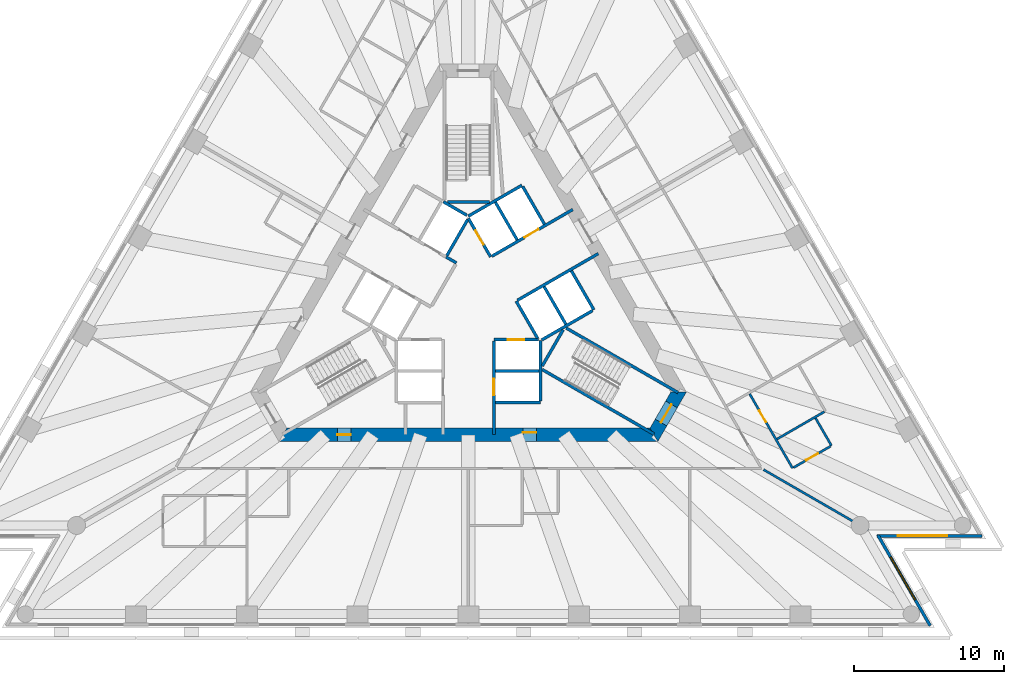
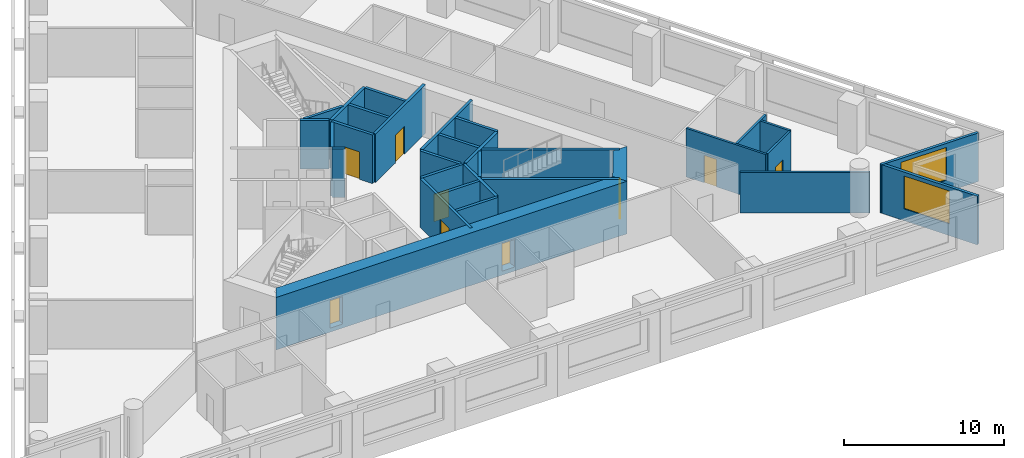
# One storey, part 5 of 11: 31 walls, 9 doors, 2 windows, 11 openings.
"""IFC4 building model written with IfcOpenShell, lengths in metres."""

from ifc_helpers import new_model, si_unit, direction, frame, frame_2d, origin, place, context, subcontext, project, spatial, polyline, rectangle, outline, extrude, material, layer, layer_set, layer_usage, type_object, element, fill, save


model = new_model("IFC4")

# Units and contexts
model_context = context("Model", 3, precision=1e-05, world=origin(), true_north=direction((0.0, 1.0)))
body_context = subcontext(model_context, "Body", "Model", "MODEL_VIEW")
ifc_project = project(units=[si_unit("LENGTHUNIT", "METRE"), si_unit("AREAUNIT", "SQUARE_METRE"), si_unit("VOLUMEUNIT", "CUBIC_METRE"), si_unit("PLANEANGLEUNIT", "RADIAN"), si_unit("MASSUNIT", "GRAM", prefix="KILO")], contexts=[model_context])

# Site, building, storey
site_placement = place(None, origin())
site = spatial("IfcSite", under=ifc_project, at=site_placement, CompositionType="ELEMENT")
building_placement = place(site_placement, origin())
building = spatial("IfcBuilding", under=site, at=building_placement, Name="Triada Interchange Tower", CompositionType="ELEMENT")
storey_placement = place(building_placement, frame((0.0, 0.0, 59.300048828125)))
storey = spatial("IfcBuildingStorey", under=building, at=storey_placement, Name="L12", CompositionType="ELEMENT", Elevation=59.300048828125)

# Walls
ifc_material_1 = material(Name="Concrete C30/37", Category="concrete")
ifc_layer_1 = layer(ifc_material_1, 0.199951171875)
ifc_layer_set_1 = layer_set([ifc_layer_1], Name="CORE WALL 200 EI 120")
wall_type_1 = type_object("IfcWallType", Name="CORE WALL 200 EI 120", PredefinedType="SOLIDWALL", material=ifc_layer_set_1)
wall_1_placement = place(storey_placement, frame((1.800048828125, -4.800048828125, 0.0), z_axis=(0.0, 0.0, 1.0), x_axis=(1.0, 0.0, 0.0)))
element("IfcWall", 1, at=wall_1_placement, inside=storey, type_object=wall_type_1, Name="Wall L12 50", PredefinedType="SOLIDWALL", context=body_context, shape_type="SweptSolid", body=[
    extrude(rectangle(XDim=2.89990234375, YDim=0.199951171875, at=frame_2d((1.449951171875, 0.0))), origin(), (0.0, 0.0, 1.0), 3.699951171875),
])
wall_2_placement = place(storey_placement, frame((1.800048828125, -6.89990234375, 0.0), z_axis=(0.0, 0.0, 1.0), x_axis=(1.0, 0.0, 0.0)))
element("IfcWall", 2, at=wall_2_placement, inside=storey, type_object=wall_type_1, Name="Wall L12 53", PredefinedType="SOLIDWALL", context=body_context, shape_type="SweptSolid", body=[
    extrude(rectangle(XDim=3.0, YDim=0.199951171875, at=frame_2d((1.5, 0.0))), origin(), (0.0, 0.0, 1.0), 3.699951171875),
])

# Wall, opening, door
wall_3_placement = place(storey_placement, frame((1.702880859375, -2.699951171875, 0.0), z_axis=(0.0, 0.0, 1.0), x_axis=(1.0, 0.0, 0.0)))
wall_3 = element("IfcWall", 3, at=wall_3_placement, inside=storey, type_object=wall_type_1, Name="Wall L12 56", PredefinedType="SOLIDWALL", context=body_context, shape_type="SweptSolid", body=[
    extrude(rectangle(XDim=2.97314453125, YDim=0.199951171875, at=frame_2d((1.486572265625, 0.0))), origin(), (0.0, 0.0, 1.0), 3.699951171875),
])
opening_1_placement = place(wall_3_placement, frame((0.93603515625, 0.0, 0.0)))
opening_1 = element("IfcOpeningElement", 4, at=opening_1_placement, cuts=wall_3, Name="Opening LD-LR1", PredefinedType="OPENING", context=body_context, shape_type="SweptSolid", body=[
    extrude(rectangle(XDim=1.10009765625, YDim=2.10009765625, at=frame_2d((0.550048828125, 1.050048828125))), frame((0.0, 0.10986328125, 0.0), z_axis=(0.0, -1.0, 0.0), x_axis=(1.0, 0.0, 0.0)), (0.0, 0.0, 1.0), 0.219970703125),
])
ifc_material_2 = material(Name="Steel S235 door leaf", Category="steel")
door_type_1 = type_object("IfcDoorType", Name="LIFT LANDING DOOR 1100 EI 120", OperationType="SLIDING_TO_LEFT", PredefinedType="DOOR", material=ifc_material_2)
door_1_placement = place(opening_1_placement, origin())
door_1 = element("IfcDoor", 5, at=door_1_placement, inside=storey, type_object=door_type_1, Name="LR1 landing door L12", OperationType="SLIDING_TO_LEFT", OverallHeight=2.10009765625, OverallWidth=1.10009765625, PredefinedType="DOOR", context=body_context, shape_type="SweptSolid", body=[
    extrude(rectangle(XDim=1.10009765625, YDim=2.10009765625, at=frame_2d((0.550048828125, 1.050048828125))), frame((0.0, 0.02490234375, 0.0), z_axis=(0.0, -1.0, 0.0), x_axis=(1.0, 0.0, 0.0)), (0.0, 0.0, 1.0), 0.050048828125),
])
fill(opening_1, door_1)

# Wall
wall_4_placement = place(storey_placement, frame((-0.001953125, 5.541015625, 0.0), z_axis=(0.0, 0.0, 1.0), x_axis=(0.86600155993, 0.500041296494, 0.0)))
element("IfcWall", 6, at=wall_4_placement, inside=storey, type_object=wall_type_1, Name="Wall L12 57", PredefinedType="SOLIDWALL", context=body_context, shape_type="SweptSolid", body=[
    extrude(rectangle(XDim=4.131591796875, YDim=0.199951171875, at=frame_2d((2.06591796875, 0.0))), origin(), (0.0, 0.0, 1.0), 3.699951171875),
])

# Wall, opening, door
wall_5_placement = place(storey_placement, frame((0.0, 5.39990234375, 0.0), z_axis=(0.0, 0.0, 1.0), x_axis=(0.500103862429, -0.865965430478, 0.0)))
wall_5 = element("IfcWall", 7, at=wall_5_placement, inside=storey, type_object=wall_type_1, Name="Wall L12 58", PredefinedType="SOLIDWALL", context=body_context, shape_type="SweptSolid", body=[
    extrude(rectangle(XDim=2.973388671875, YDim=0.199951171875, at=frame_2d((1.48681640625, 0.0))), origin(), (0.0, 0.0, 1.0), 3.699951171875),
])
opening_2_placement = place(wall_5_placement, frame((0.93701171875, 0.0, 0.0)))
opening_2 = element("IfcOpeningElement", 8, at=opening_2_placement, cuts=wall_5, Name="Opening LD-LR5", PredefinedType="OPENING", context=body_context, shape_type="SweptSolid", body=[
    extrude(rectangle(XDim=1.10009765625, YDim=2.10009765625, at=frame_2d((0.550048828125, 1.050048828125))), frame((0.0, 0.10986328125, 0.0), z_axis=(0.0, -1.0, 0.0), x_axis=(1.0, 0.0, 0.0)), (0.0, 0.0, 1.0), 0.219970703125),
])
door_2_placement = place(opening_2_placement, origin())
door_2 = element("IfcDoor", 9, at=door_2_placement, inside=storey, type_object=door_type_1, Name="LR5 landing door L12", OperationType="SLIDING_TO_LEFT", OverallHeight=2.10009765625, OverallWidth=1.10009765625, PredefinedType="DOOR", context=body_context, shape_type="SweptSolid", body=[
    extrude(rectangle(XDim=1.10009765625, YDim=2.10009765625, at=frame_2d((0.550048828125, 1.050048828125))), frame((0.0, 0.02490234375, 0.0), z_axis=(0.0, -1.0, 0.0), x_axis=(1.0, 0.0, 0.0)), (0.0, 0.0, 1.0), 0.050048828125),
])
fill(opening_2, door_2)

# Wall
wall_6_placement = place(storey_placement, frame((3.18994140625, -0.125, 0.0), z_axis=(0.0, 0.0, 1.0), x_axis=(0.499988658015, -0.866031951983, 0.0)))
element("IfcWall", 10, at=wall_6_placement, inside=storey, type_object=wall_type_1, Name="Wall L12 59", PredefinedType="SOLIDWALL", context=body_context, shape_type="SweptSolid", body=[
    extrude(rectangle(XDim=2.85791015625, YDim=0.199951171875, at=frame_2d((1.428955078125, 0.0))), origin(), (0.0, 0.0, 1.0), 3.699951171875),
])

# Wall, opening, door
wall_7_placement = place(storey_placement, frame((1.577880859375, 2.8740234375, 0.0), z_axis=(0.0, 0.0, 1.0), x_axis=(0.866031483044, 0.499989470266, 0.0)))
wall_7 = element("IfcWall", 11, at=wall_7_placement, inside=storey, type_object=wall_type_1, Name="Wall L12 60", PredefinedType="SOLIDWALL", context=body_context, shape_type="SweptSolid", body=[
    extrude(rectangle(XDim=6.226318359375, YDim=0.199951171875, at=frame_2d((3.11328125, 0.0))), origin(), (0.0, 0.0, 1.0), 3.699951171875),
])
opening_3_placement = place(wall_7_placement, frame((2.49609375, 0.0, 0.0)))
opening_3 = element("IfcOpeningElement", 12, at=opening_3_placement, cuts=wall_7, Name="Opening LD-LR6", PredefinedType="OPENING", context=body_context, shape_type="SweptSolid", body=[
    extrude(rectangle(XDim=1.10009765625, YDim=2.10009765625, at=frame_2d((0.550048828125, 1.050048828125))), frame((0.0, 0.10986328125, 0.0), z_axis=(0.0, -1.0, 0.0), x_axis=(1.0, 0.0, 0.0)), (0.0, 0.0, 1.0), 0.219970703125),
])
door_3_placement = place(opening_3_placement, origin())
door_3 = element("IfcDoor", 13, at=door_3_placement, inside=storey, type_object=door_type_1, Name="LR6 landing door L12", OperationType="SLIDING_TO_LEFT", OverallHeight=2.10009765625, OverallWidth=1.10009765625, PredefinedType="DOOR", context=body_context, shape_type="SweptSolid", body=[
    extrude(rectangle(XDim=1.10009765625, YDim=2.10009765625, at=frame_2d((0.550048828125, 1.050048828125))), frame((0.0, 0.02490234375, 0.0), z_axis=(0.0, -1.0, 0.0), x_axis=(1.0, 0.0, 0.0)), (0.0, 0.0, 1.0), 0.050048828125),
])
fill(opening_3, door_3)

wall_8_placement = place(storey_placement, frame((1.699951171875, -9.030029296875, 0.0), z_axis=(0.0, 0.0, 1.0), x_axis=(0.0, 1.0, 0.0)))
wall_8 = element("IfcWall", 14, at=wall_8_placement, inside=storey, type_object=wall_type_1, Name="Wall L12 61", PredefinedType="SOLIDWALL", context=body_context, shape_type="SweptSolid", body=[
    extrude(rectangle(XDim=6.22705078125, YDim=0.199951171875, at=frame_2d((3.113525390625, 0.0))), origin(), (0.0, 0.0, 1.0), 3.699951171875),
])
opening_4_placement = place(wall_8_placement, frame((2.6298828125, 0.0, 0.0)))
opening_4 = element("IfcOpeningElement", 15, at=opening_4_placement, cuts=wall_8, Name="Opening LD-LR2", PredefinedType="OPENING", context=body_context, shape_type="SweptSolid", body=[
    extrude(rectangle(XDim=1.10009765625, YDim=2.10009765625, at=frame_2d((0.550048828125, 1.050048828125))), frame((0.0, 0.10986328125, 0.0), z_axis=(0.0, -1.0, 0.0), x_axis=(1.0, 0.0, 0.0)), (0.0, 0.0, 1.0), 0.219970703125),
])
door_4_placement = place(opening_4_placement, origin())
door_4 = element("IfcDoor", 16, at=door_4_placement, inside=storey, type_object=door_type_1, Name="LR2 landing door L12", OperationType="SLIDING_TO_LEFT", OverallHeight=2.10009765625, OverallWidth=1.10009765625, PredefinedType="DOOR", context=body_context, shape_type="SweptSolid", body=[
    extrude(rectangle(XDim=1.10009765625, YDim=2.10009765625, at=frame_2d((0.550048828125, 1.050048828125))), frame((0.0, 0.02490234375, 0.0), z_axis=(0.0, -1.0, 0.0), x_axis=(1.0, 0.0, 0.0)), (0.0, 0.0, 1.0), 0.050048828125),
])
fill(opening_4, door_4)

# Walls
wall_9_placement = place(storey_placement, frame((4.800048828125, -6.800048828125, 0.0), z_axis=(0.0, 0.0, 1.0), x_axis=(0.0, 1.0, 0.0)))
element("IfcWall", 17, at=wall_9_placement, inside=storey, type_object=wall_type_1, Name="Wall L12 62", PredefinedType="SOLIDWALL", context=body_context, shape_type="SweptSolid", body=[
    extrude(rectangle(XDim=4.029052734375, YDim=0.199951171875, at=frame_2d((2.0146484375, 0.0))), origin(), (0.0, 0.0, 1.0), 3.699951171875),
])
wall_10_placement = place(storey_placement, frame((3.278076171875, -0.071044921875, 0.0), z_axis=(0.0, 0.0, 1.0), x_axis=(0.865953757655, 0.500124074208, 0.0)))
element("IfcWall", 18, at=wall_10_placement, inside=storey, type_object=wall_type_1, Name="Wall L12 63", PredefinedType="SOLIDWALL", context=body_context, shape_type="SweptSolid", body=[
    extrude(rectangle(XDim=6.2265625, YDim=0.199951171875, at=frame_2d((3.11328125, 0.0))), origin(), (0.0, 0.0, 1.0), 3.699951171875),
])
wall_11_placement = place(storey_placement, frame((3.6259765625, 7.52001953125, 0.0), z_axis=(0.0, 0.0, 1.0), x_axis=(0.500060147554, -0.865990674793, 0.0)))
element("IfcWall", 19, at=wall_11_placement, inside=storey, type_object=wall_type_1, Name="Wall L12 64", PredefinedType="SOLIDWALL", context=body_context, shape_type="SweptSolid", body=[
    extrude(rectangle(XDim=2.899658203125, YDim=0.199951171875, at=frame_2d((1.44970703125, 0.0))), origin(), (0.0, 0.0, 1.0), 3.699951171875),
])
wall_12_placement = place(storey_placement, frame((6.8759765625, 1.89111328125, 0.0), z_axis=(0.0, 0.0, 1.0), x_axis=(0.499990139034, -0.866031096941, 0.0)))
element("IfcWall", 20, at=wall_12_placement, inside=storey, type_object=wall_type_1, Name="Wall L12 65", PredefinedType="SOLIDWALL", context=body_context, shape_type="SweptSolid", body=[
    extrude(rectangle(XDim=3.0, YDim=0.199951171875, at=frame_2d((1.5, 0.0))), origin(), (0.0, 0.0, 1.0), 3.699951171875),
])
for number, where, z_axis, x_axis, name in (
    (21, (1.806884765625, 6.469970703125, 0.0), (0.0, 0.0, 1.0), (0.50012328804, -0.865954211699, 0.0), "Wall L12 66"),
    (22, (5.056884765625, 0.841064453125, 0.0), (0.0, 0.0, 1.0), (0.50012328804, -0.865954211699, 0.0), "Wall L12 67"),
):
    element("IfcWall", number, at=place(storey_placement, frame(where, z_axis=z_axis, x_axis=x_axis)), inside=storey, type_object=wall_type_1, Name=name, PredefinedType="SOLIDWALL", context=body_context, shape_type="SweptSolid", body=[
        extrude(rectangle(XDim=2.899658203125, YDim=0.199951171875, at=frame_2d((1.44970703125, 0.0))), origin(), (0.0, 0.0, 1.0), 3.699951171875),
    ])
wall_13_placement = place(storey_placement, frame((4.89990234375, -2.714111328125, 0.0), z_axis=(0.0, 0.0, 1.0), x_axis=(0.865992350556, 0.500057245502, 0.0)))
element("IfcWall", 23, at=wall_13_placement, inside=storey, type_object=wall_type_1, Name="Wall L12 68", PredefinedType="SOLIDWALL", context=body_context, shape_type="SweptSolid", body=[
    extrude(rectangle(XDim=3.91357421875, YDim=0.199951171875, at=frame_2d((1.956787109375, 0.0))), origin(), (0.0, 0.0, 1.0), 3.699951171875),
])
ifc_layer_2 = layer(ifc_material_1, 0.199951171875)
ifc_layer_set_2 = layer_set([ifc_layer_2], Name="CORE WALL 200 EI 180")
wall_type_2 = type_object("IfcWallType", Name="CORE WALL 200 EI 180", PredefinedType="SOLIDWALL", material=ifc_layer_set_2)
wall_14_placement = place(storey_placement, frame((-1.488037109375, 2.822021484375, 0.0), z_axis=(0.0, 0.0, 1.0), x_axis=(0.866236612152, -0.499633997809, 0.0)))
element("IfcWall", 24, at=wall_14_placement, inside=storey, type_object=wall_type_2, Name="Wall L12 72", PredefinedType="SOLIDWALL", context=body_context, shape_type="SweptSolid", body=[
    extrude(rectangle(XDim=0.79638671875, YDim=0.199951171875, at=frame_2d((0.398193359375, 0.0))), origin(), (0.0, 0.0, 1.0), 3.699951171875),
])
wall_15_placement = place(storey_placement, frame((-1.669921875, 6.507080078125, 0.0), z_axis=(0.0, 0.0, 1.0), x_axis=(0.865941441609, -0.500145398563, 0.0)))
element("IfcWall", 25, at=wall_15_placement, inside=storey, type_object=wall_type_2, Name="Shaft wall FF2 L12 82", PredefinedType="SOLIDWALL", context=body_context, shape_type="SweptSolid", body=[
    extrude(rectangle(XDim=1.8154296875, YDim=0.199951171875, at=frame_2d((0.90771484375, 0.0))), origin(), (0.0, 0.0, 1.0), 3.699951171875),
])
wall_16_placement = place(storey_placement, frame((-1.43798828125, 2.908935546875, 0.0), z_axis=(0.0, 0.0, 1.0), x_axis=(0.499829630636, 0.866123744241, 0.0)))
element("IfcWall", 26, at=wall_16_placement, inside=storey, type_object=wall_type_2, Name="Shaft wall FF2 L12 83", PredefinedType="SOLIDWALL", context=body_context, shape_type="SweptSolid", body=[
    extrude(rectangle(XDim=2.7607421875, YDim=0.199951171875, at=frame_2d((1.38037109375, 0.0))), origin(), (0.0, 0.0, 1.0), 3.699951171875),
])
ifc_layer_3 = layer(ifc_material_1, 0.199951171875)
ifc_layer_set_3 = layer_set([ifc_layer_3], Name="CORE WALL 200 REI 240")
wall_type_3 = type_object("IfcWallType", Name="CORE WALL 200 REI 240", PredefinedType="SOLIDWALL", material=ifc_layer_set_3)
wall_17_placement = place(storey_placement, frame((-1.39990234375, 6.5, 0.0), z_axis=(0.0, 0.0, 1.0), x_axis=(1.0, 0.0, 0.0)))
element("IfcWall", 27, at=wall_17_placement, inside=storey, type_object=wall_type_3, Name="Wall L12 91", PredefinedType="SOLIDWALL", context=body_context, shape_type="SweptSolid", body=[
    extrude(rectangle(XDim=2.7998046875, YDim=0.199951171875, at=frame_2d((1.39990234375, 0.0))), origin(), (0.0, 0.0, 1.0), 3.699951171875),
])
wall_18_placement = place(storey_placement, frame((4.928955078125, -4.693115234375, 0.0), z_axis=(0.0, 0.0, 1.0), x_axis=(0.866010975815, -0.500024989144, 0.0)))
element("IfcWall", 28, at=wall_18_placement, inside=storey, type_object=wall_type_3, Name="Wall L12 93", PredefinedType="SOLIDWALL", context=body_context, shape_type="SweptSolid", body=[
    extrude(rectangle(XDim=8.615234375, YDim=0.199951171875, at=frame_2d((4.3076171875, 0.0))), origin(), (0.0, 0.0, 1.0), 3.699951171875),
])
wall_19_placement = place(storey_placement, frame((4.928955078125, -4.4619140625, 0.0), z_axis=(0.0, 0.0, 1.0), x_axis=(0.500200581029, 0.865909567298, 0.0)))
element("IfcWall", 29, at=wall_19_placement, inside=storey, type_object=wall_type_3, Name="Wall L12 94", PredefinedType="SOLIDWALL", context=body_context, shape_type="SweptSolid", body=[
    extrude(rectangle(XDim=2.799072265625, YDim=0.199951171875, at=frame_2d((1.3994140625, 0.0))), origin(), (0.0, 0.0, 1.0), 3.699951171875),
])
wall_20_placement = place(storey_placement, frame((6.529052734375, -1.922119140625, 0.0), z_axis=(0.0, 0.0, 1.0), x_axis=(0.866060059011, -0.499939970583, 0.0)))
element("IfcWall", 30, at=wall_20_placement, inside=storey, type_object=wall_type_3, Name="Wall L12 95", PredefinedType="SOLIDWALL", context=body_context, shape_type="SweptSolid", body=[
    extrude(rectangle(XDim=8.61474609375, YDim=0.199951171875, at=frame_2d((4.307373046875, 0.0))), origin(), (0.0, 0.0, 1.0), 3.699951171875),
])

# Wall, openings, doors
ifc_material_3 = material(Name="Concrete C70/85", Category="concrete")
ifc_layer_4 = layer(ifc_material_3, 0.89990234375)
ifc_layer_set_4 = layer_set([ifc_layer_4], Name="Core wall A 900")
wall_type_4 = type_object("IfcWallType", Name="Core wall A 900", PredefinedType="SHEAR", material=ifc_layer_set_4)
wall_21_placement = place(storey_placement, frame((-12.384033203125, -9.050048828125, -0.300048828125), z_axis=(0.0, 0.0, 1.0), x_axis=(1.0, 0.0, 0.0)))
wall_21 = element("IfcWall", 31, at=wall_21_placement, inside=storey, type_object=wall_type_4, Name="Core wall WA04 L12", PredefinedType="SHEAR", context=body_context, shape_type="SweptSolid", body=[
    extrude(outline(polyline([(-0.260009765625, -0.449951171875), (1.685302734375, -0.449951171875), (3.63037109375, -0.449951171875), (5.57568359375, -0.449951171875), (7.52099609375, -0.449951171875), (9.466064453125, -0.449951171875), (11.411376953125, -0.449951171875), (13.356689453125, -0.449951171875), (15.302001953125, -0.449951171875), (17.2470703125, -0.449951171875), (19.1923828125, -0.449951171875), (21.1376953125, -0.449951171875), (23.082763671875, -0.449951171875), (25.028076171875, -0.449951171875), (24.508056640625, 0.449951171875), (22.642822265625, 0.449951171875), (20.777587890625, 0.449951171875), (18.912353515625, 0.449951171875), (17.047119140625, 0.449951171875), (15.181884765625, 0.449951171875), (13.316650390625, 0.449951171875), (11.451416015625, 0.449951171875), (9.586181640625, 0.449951171875), (7.720947265625, 0.449951171875), (5.855712890625, 0.449951171875), (3.990478515625, 0.449951171875), (2.125244140625, 0.449951171875), (0.260009765625, 0.449951171875), (-0.260009765625, -0.449951171875)])), origin(), (0.0, 0.0, 1.0), 4.0),
])
opening_5_placement = place(wall_21_placement, frame((3.636962890625, 0.0, 0.300048828125)))
opening_5 = element("IfcOpeningElement", 32, at=opening_5_placement, cuts=wall_21, Name="Opening D12-46", PredefinedType="OPENING", context=body_context, shape_type="SweptSolid", body=[
    extrude(rectangle(XDim=0.89990234375, YDim=2.10009765625, at=frame_2d((0.449951171875, 1.050048828125))), frame((0.0, 0.4599609375, 0.0), z_axis=(0.0, -1.0, 0.0), x_axis=(1.0, 0.0, 0.0)), (0.0, 0.0, 1.0), 0.919921875),
])
opening_6_placement = place(wall_21_placement, frame((16.02197265625, 0.0, 0.300048828125)))
opening_6 = element("IfcOpeningElement", 33, at=opening_6_placement, cuts=wall_21, Name="Opening D12-47", PredefinedType="OPENING", context=body_context, shape_type="SweptSolid", body=[
    extrude(rectangle(XDim=0.89990234375, YDim=2.10009765625, at=frame_2d((0.449951171875, 1.050048828125))), frame((0.0, 0.4599609375, 0.0), z_axis=(0.0, -1.0, 0.0), x_axis=(1.0, 0.0, 0.0)), (0.0, 0.0, 1.0), 0.919921875),
])
door_type_2 = type_object("IfcDoorType", Name="RISER ACCESS DOOR 900 EI2 45-C5S200", OperationType="NOTDEFINED", PredefinedType="DOOR", material=ifc_material_2)
door_5_placement = place(opening_5_placement, origin())
door_5 = element("IfcDoor", 34, at=door_5_placement, inside=storey, type_object=door_type_2, Name="Door D12-46 L12", OperationType="SINGLE_SWING_LEFT", OverallHeight=2.10009765625, OverallWidth=0.89990234375, PredefinedType="DOOR", context=body_context, shape_type="SweptSolid", body=[
    extrude(rectangle(XDim=0.89990234375, YDim=2.10009765625, at=frame_2d((0.449951171875, 1.050048828125))), frame((0.0, 0.02490234375, 0.0), z_axis=(0.0, -1.0, 0.0), x_axis=(1.0, 0.0, 0.0)), (0.0, 0.0, 1.0), 0.050048828125),
])
fill(opening_5, door_5)
door_type_3 = type_object("IfcDoorType", Name="SERVICE DOOR 900 EI2 45-C5S200", OperationType="NOTDEFINED", PredefinedType="DOOR", material=ifc_material_2)
door_6_placement = place(opening_6_placement, origin())
door_6 = element("IfcDoor", 35, at=door_6_placement, inside=storey, type_object=door_type_3, Name="Door D12-47 L12", OperationType="SINGLE_SWING_LEFT", OverallHeight=2.10009765625, OverallWidth=0.89990234375, PredefinedType="DOOR", context=body_context, shape_type="SweptSolid", body=[
    extrude(rectangle(XDim=0.89990234375, YDim=2.10009765625, at=frame_2d((0.449951171875, 1.050048828125))), frame((0.0, 0.1748046875, 0.0), z_axis=(0.0, -1.0, 0.0), x_axis=(1.0, 0.0, 0.0)), (0.0, 0.0, 1.0), 0.050048828125),
])
fill(opening_6, door_6)

# Wall, opening, door
wall_22_placement = place(storey_placement, frame((12.384033203125, -9.050048828125, -0.300048828125), z_axis=(0.0, 0.0, 1.0), x_axis=(0.500111984565, 0.865960739811, 0.0)))
wall_22 = element("IfcWall", 36, at=wall_22_placement, inside=storey, type_object=wall_type_4, Name="Core wall WA05 L12", PredefinedType="SHEAR", context=body_context, shape_type="SweptSolid", body=[
    extrude(outline(polyline([(-0.260009765625, -0.449951171875), (1.6455078125, -0.449462890625), (3.551025390625, -0.448974609375), (3.031005859375, 0.449951171875), (1.6455078125, 0.449951171875), (0.260009765625, 0.449951171875), (-0.260009765625, -0.449951171875)])), origin(), (0.0, 0.0, 1.0), 4.0),
])
opening_7_placement = place(wall_22_placement, frame((0.946044921875, 0.0, 0.300048828125)))
opening_7 = element("IfcOpeningElement", 37, at=opening_7_placement, cuts=wall_22, Name="Opening D12-43", PredefinedType="OPENING", context=body_context, shape_type="SweptSolid", body=[
    extrude(rectangle(XDim=1.39990234375, YDim=2.10009765625, at=frame_2d((0.699951171875, 1.050048828125))), frame((0.0, 0.4599609375, 0.0), z_axis=(0.0, -1.0, 0.0), x_axis=(1.0, 0.0, 0.0)), (0.0, 0.0, 1.0), 0.919921875),
])
door_type_4 = type_object("IfcDoorType", Name="STAIR DOOR 1400 EI2 90-C5S200", OperationType="DOUBLE_DOOR_SINGLE_SWING", PredefinedType="DOOR", material=ifc_material_2)
door_7_placement = place(opening_7_placement, origin())
door_7 = element("IfcDoor", 38, at=door_7_placement, inside=storey, type_object=door_type_4, Name="Door D12-43 L12", OperationType="DOUBLE_DOOR_SINGLE_SWING", OverallHeight=2.10009765625, OverallWidth=1.39990234375, PredefinedType="DOOR", context=body_context, shape_type="SweptSolid", body=[
    extrude(rectangle(XDim=1.39990234375, YDim=2.10009765625, at=frame_2d((0.699951171875, 1.050048828125))), frame((0.0, 0.02490234375, 0.0), z_axis=(0.0, -1.0, 0.0), x_axis=(1.0, 0.0, 0.0)), (0.0, 0.0, 1.0), 0.050048828125),
])
fill(opening_7, door_7)

# Wall, opening, window
ifc_material_4 = material(Name="Cement board")
ifc_layer_5 = layer(ifc_material_4, 0.02001953125, Name="Cement board cladding")
ifc_material_5 = material(Name="Sheathing board")
ifc_layer_6 = layer(ifc_material_5, 0.014892578125, Name="Sheathing board")
ifc_material_6 = material(Name="Mineral wool")
ifc_layer_7 = layer(ifc_material_6, 0.14990234375, Name="Mineral wool between steel studs")
ifc_material_7 = material(Name="Gypsum board")
ifc_layer_8 = layer(ifc_material_7, 0.014892578125, Name="Plasterboard lining")
ifc_layer_set_5 = layer_set([ifc_layer_5, ifc_layer_6, ifc_layer_7, ifc_layer_8], Name="External wall 200")
ifc_layer_usage = layer_usage(ifc_layer_set_5, "AXIS2", "POSITIVE", -0.10009765625)
wall_type_5 = type_object("IfcWallType", Name="External wall 200", PredefinedType="ELEMENTEDWALL", material=ifc_layer_set_5)
wall_23_placement = place(storey_placement, frame((30.823974609375, -21.79296875, 0.0), z_axis=(0.0, 0.0, 1.0), x_axis=(-0.499969272857, 0.866043143382, 0.0)))
wall_23 = element("IfcWall", 39, at=wall_23_placement, inside=storey, type_object=wall_type_5, material=ifc_layer_usage, Name="External wall L12 SE-1", PredefinedType="ELEMENTEDWALL", context=body_context, shape_type="SweptSolid", body=[
    extrude(rectangle(XDim=6.99267578125, YDim=0.199951171875, at=frame_2d((3.496337890625, 0.0))), origin(), (0.0, 0.0, 1.0), 3.699951171875),
])
opening_8_placement = place(wall_23_placement, frame((1.989990234375, 0.0, 0.89990234375)))
opening_8 = element("IfcOpeningElement", 40, at=opening_8_placement, cuts=wall_23, Name="Opening WA19", PredefinedType="OPENING", context=body_context, shape_type="SweptSolid", body=[
    extrude(rectangle(XDim=3.300048828125, YDim=2.5, at=frame_2d((1.64990234375, 1.25))), frame((0.0, 0.10986328125, 0.0), z_axis=(0.0, -1.0, 0.0), x_axis=(1.0, 0.0, 0.0)), (0.0, 0.0, 1.0), 0.219970703125),
])
ifc_material_8 = material(Name="Double glazed aluminium window", Category="aluminium")
window_type = type_object("IfcWindowType", Name="Ribbon window A pocket", PartitioningType="SINGLE_PANEL", PredefinedType="WINDOW", material=ifc_material_8)
window_1_placement = place(opening_8_placement, origin())
window_1 = element("IfcWindow", 41, at=window_1_placement, inside=storey, type_object=window_type, Name="Window L12 SE-1 1", OverallHeight=2.5, OverallWidth=3.300048828125, PartitioningType="SINGLE_PANEL", PredefinedType="WINDOW", context=body_context, shape_type="SweptSolid", body=[
    extrude(rectangle(XDim=3.300048828125, YDim=2.5, at=frame_2d((1.64990234375, 1.25))), frame((0.0, 0.030029296875, 0.0), z_axis=(0.0, -1.0, 0.0), x_axis=(1.0, 0.0, 0.0)), (0.0, 0.0, 1.0), 0.06005859375),
])
fill(opening_8, window_1)

wall_24_placement = place(storey_placement, frame((27.27294921875, -15.798095703125, 0.0), z_axis=(0.0, 0.0, 1.0), x_axis=(1.0, 0.0, 0.0)))
wall_24 = element("IfcWall", 42, at=wall_24_placement, inside=storey, type_object=wall_type_5, material=ifc_layer_usage, Name="External wall L12 SE-2", PredefinedType="ELEMENTEDWALL", context=body_context, shape_type="SweptSolid", body=[
    extrude(rectangle(XDim=6.9931640625, YDim=0.199951171875, at=frame_2d((3.49658203125, 0.0))), origin(), (0.0, 0.0, 1.0), 3.699951171875),
])
opening_9_placement = place(wall_24_placement, frame((1.389892578125, 0.0, 0.89990234375)))
opening_9 = element("IfcOpeningElement", 43, at=opening_9_placement, cuts=wall_24, Name="Opening WA20", PredefinedType="OPENING", context=body_context, shape_type="SweptSolid", body=[
    extrude(rectangle(XDim=3.300048828125, YDim=2.5, at=frame_2d((1.64990234375, 1.25))), frame((0.0, 0.10986328125, 0.0), z_axis=(0.0, -1.0, 0.0), x_axis=(1.0, 0.0, 0.0)), (0.0, 0.0, 1.0), 0.219970703125),
])
window_2_placement = place(opening_9_placement, origin())
window_2 = element("IfcWindow", 44, at=window_2_placement, inside=storey, type_object=window_type, Name="Window L12 SE-2 1", OverallHeight=2.5, OverallWidth=3.300048828125, PartitioningType="SINGLE_PANEL", PredefinedType="WINDOW", context=body_context, shape_type="SweptSolid", body=[
    extrude(rectangle(XDim=3.300048828125, YDim=2.5, at=frame_2d((1.64990234375, 1.25))), frame((0.0, 0.030029296875, 0.0), z_axis=(0.0, -1.0, 0.0), x_axis=(1.0, 0.0, 0.0)), (0.0, 0.0, 1.0), 0.06005859375),
])
fill(opening_9, window_2)

# Walls
ifc_material_9 = material(Name="Gypsum board partition")
ifc_layer_9 = layer(ifc_material_9, 0.14990234375)
ifc_layer_set_6 = layer_set([ifc_layer_9], Name="PARTITION 150 EI 180")
wall_type_6 = type_object("IfcWallType", Name="PARTITION 150 EI 180", PredefinedType="PARTITIONING", material=ifc_layer_set_6)
wall_25_placement = place(storey_placement, frame((19.701904296875, -11.3740234375, 0.0), z_axis=(0.0, 0.0, 1.0), x_axis=(0.866050014035, -0.499957371373, 0.0)))
element("IfcWall", 45, at=wall_25_placement, inside=storey, type_object=wall_type_6, Name="Wall L12 7", PredefinedType="PARTITIONING", context=body_context, shape_type="SweptSolid", body=[
    extrude(rectangle(XDim=8.066650390625, YDim=0.14990234375, at=frame_2d((4.033203125, 0.0))), origin(), (0.0, 0.0, 1.0), 3.099853515625),
])
ifc_layer_10 = layer(ifc_material_9, 0.14990234375)
ifc_layer_set_7 = layer_set([ifc_layer_10], Name="PARTITION 150 EI 90")
wall_type_7 = type_object("IfcWallType", Name="PARTITION 150 EI 90", PredefinedType="PARTITIONING", material=ifc_layer_set_7)
wall_26_placement = place(storey_placement, frame((23.172119140625, -7.93505859375, 0.0), z_axis=(0.0, 0.0, 1.0), x_axis=(0.500266112279, -0.865871709265, 0.0)))
element("IfcWall", 46, at=wall_26_placement, inside=storey, type_object=wall_type_7, Name="Wall L12 38", PredefinedType="PARTITIONING", context=body_context, shape_type="SweptSolid", body=[
    extrude(rectangle(XDim=2.124755859375, YDim=0.14990234375, at=frame_2d((1.0625, 0.0))), origin(), (0.0, 0.0, 1.0), 3.699951171875),
])

# Wall, opening, door
wall_27_placement = place(storey_placement, frame((18.77392578125, -6.31689453125, 0.0), z_axis=(0.0, 0.0, 1.0), x_axis=(0.499941490393, -0.866059181686, 0.0)))
wall_27 = element("IfcWall", 47, at=wall_27_placement, inside=storey, type_object=wall_type_7, Name="Wall L12 41", PredefinedType="PARTITIONING", context=body_context, shape_type="SweptSolid", body=[
    extrude(rectangle(XDim=5.724853515625, YDim=0.14990234375, at=frame_2d((2.8623046875, 0.0))), origin(), (0.0, 0.0, 1.0), 3.699951171875),
])
opening_10_placement = place(wall_27_placement, frame((1.27490234375, 0.0, 0.0)))
opening_10 = element("IfcOpeningElement", 48, at=opening_10_placement, cuts=wall_27, Name="Opening D12-21", PredefinedType="OPENING", context=body_context, shape_type="SweptSolid", body=[
    extrude(rectangle(XDim=0.89990234375, YDim=2.10009765625, at=frame_2d((0.449951171875, 1.050048828125))), frame((0.0, 0.0849609375, 0.0), z_axis=(0.0, -1.0, 0.0), x_axis=(1.0, 0.0, 0.0)), (0.0, 0.0, 1.0), 0.169921875),
])
door_type_5 = type_object("IfcDoorType", Name="ROOM DOOR 900 EI2 45-C5S200", OperationType="NOTDEFINED", PredefinedType="DOOR", material=ifc_material_2)
door_8_placement = place(opening_10_placement, origin())
door_8 = element("IfcDoor", 49, at=door_8_placement, inside=storey, type_object=door_type_5, Name="Door D12-21 L12", OperationType="SINGLE_SWING_LEFT", OverallHeight=2.10009765625, OverallWidth=0.89990234375, PredefinedType="DOOR", context=body_context, shape_type="SweptSolid", body=[
    extrude(rectangle(XDim=0.89990234375, YDim=2.10009765625, at=frame_2d((0.449951171875, 1.050048828125))), frame((0.0, 0.02490234375, 0.0), z_axis=(0.0, -1.0, 0.0), x_axis=(1.0, 0.0, 0.0)), (0.0, 0.0, 1.0), 0.050048828125),
])
fill(opening_10, door_8)

# Wall
wall_28_placement = place(storey_placement, frame((20.60107421875, -9.3330078125, 0.0), z_axis=(0.0, 0.0, 1.0), x_axis=(0.866024069551, 0.500002310952, 0.0)))
element("IfcWall", 50, at=wall_28_placement, inside=storey, type_object=wall_type_7, Name="Wall L12 45", PredefinedType="PARTITIONING", context=body_context, shape_type="SweptSolid", body=[
    extrude(rectangle(XDim=3.64990234375, YDim=0.14990234375, at=frame_2d((1.824951171875, 0.0))), origin(), (0.0, 0.0, 1.0), 3.699951171875),
])

# Wall, opening, door
wall_29_placement = place(storey_placement, frame((21.700927734375, -11.238037109375, 0.0), z_axis=(0.0, 0.0, 1.0), x_axis=(0.866090043625, 0.499888023795, 0.0)))
wall_29 = element("IfcWall", 51, at=wall_29_placement, inside=storey, type_object=wall_type_7, Name="Wall L12 46", PredefinedType="PARTITIONING", context=body_context, shape_type="SweptSolid", body=[
    extrude(rectangle(XDim=2.850830078125, YDim=0.14990234375, at=frame_2d((1.42529296875, 0.0))), origin(), (0.0, 0.0, 1.0), 3.699951171875),
])
opening_11_placement = place(wall_29_placement, frame((0.97509765625, 0.0, 0.0)))
opening_11 = element("IfcOpeningElement", 52, at=opening_11_placement, cuts=wall_29, Name="Opening D12-22", PredefinedType="OPENING", context=body_context, shape_type="SweptSolid", body=[
    extrude(rectangle(XDim=0.89990234375, YDim=2.10009765625, at=frame_2d((0.449951171875, 1.050048828125))), frame((0.0, 0.0849609375, 0.0), z_axis=(0.0, -1.0, 0.0), x_axis=(1.0, 0.0, 0.0)), (0.0, 0.0, 1.0), 0.169921875),
])
door_9_placement = place(opening_11_placement, origin())
door_9 = element("IfcDoor", 53, at=door_9_placement, inside=storey, type_object=door_type_3, Name="Door D12-22 L12", OperationType="SINGLE_SWING_LEFT", OverallHeight=2.10009765625, OverallWidth=0.89990234375, PredefinedType="DOOR", context=body_context, shape_type="SweptSolid", body=[
    extrude(rectangle(XDim=0.89990234375, YDim=2.10009765625, at=frame_2d((0.449951171875, 1.050048828125))), frame((0.0, 0.02490234375, 0.0), z_axis=(0.0, -1.0, 0.0), x_axis=(1.0, 0.0, 0.0)), (0.0, 0.0, 1.0), 0.050048828125),
])
fill(opening_11, door_9)

save(model, "model.ifc")
